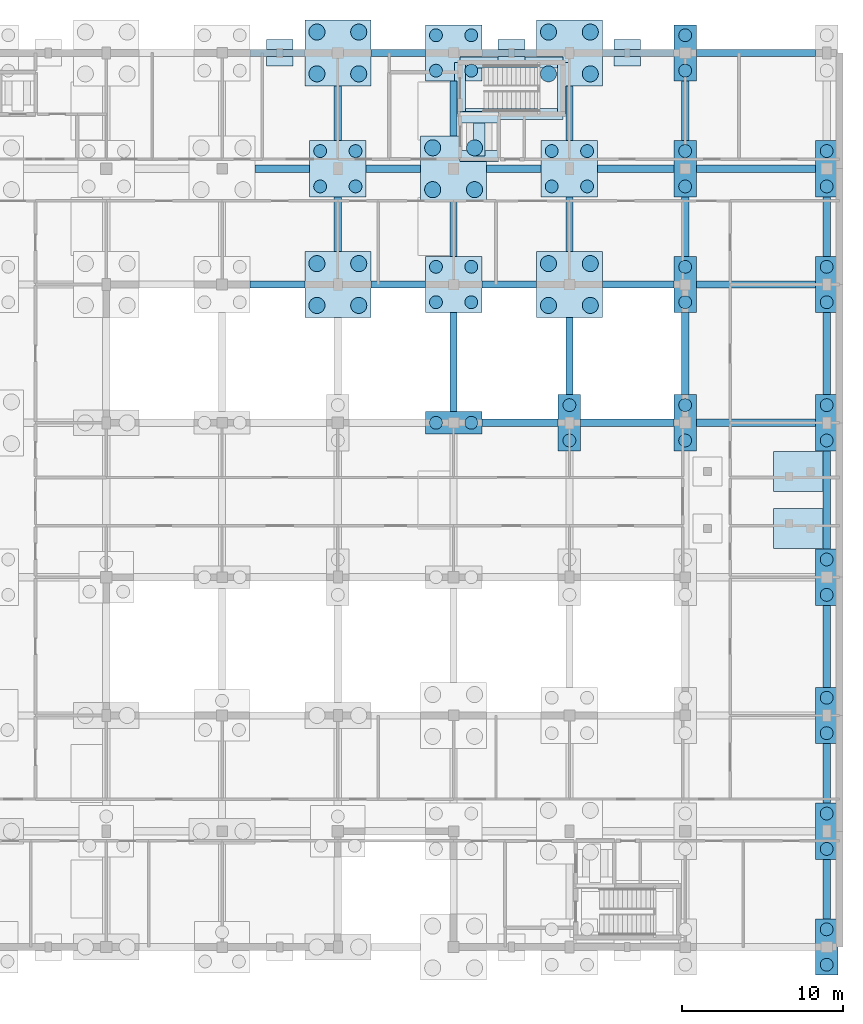
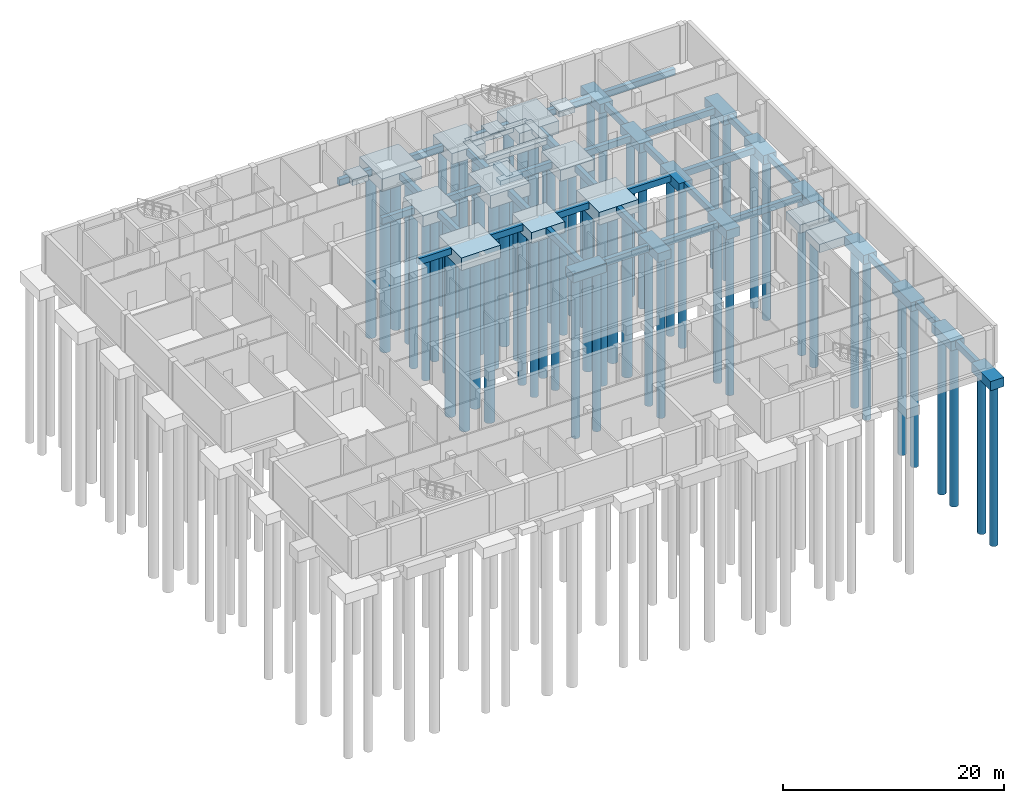
# One storey, part 4 of 17: 69 footings, 62 piles.
"""IFC4 building model written with IfcOpenShell, lengths in metres."""

from ifc_helpers import new_model, si_unit, direction, frame, origin, origin_2d, place, context, subcontext, project, spatial, rectangle, circle, extrude, material, layer, layer_set, material_profile, profile_set, type_object, element, save


model = new_model("IFC4")

# Units and contexts
model_context = context("Model", 3, precision=1e-05, world=origin(), true_north=direction((0.0, 1.0)))
body_context = subcontext(model_context, "Body", "Model", "MODEL_VIEW")
ifc_project = project(units=[si_unit("LENGTHUNIT", "METRE"), si_unit("AREAUNIT", "SQUARE_METRE"), si_unit("VOLUMEUNIT", "CUBIC_METRE"), si_unit("PLANEANGLEUNIT", "RADIAN"), si_unit("MASSUNIT", "GRAM", prefix="KILO")], contexts=[model_context])

# Site, building, storey
site_placement = place(None, origin())
site = spatial("IfcSite", under=ifc_project, at=site_placement, CompositionType="ELEMENT")
building_placement = place(site_placement, origin())
building = spatial("IfcBuilding", under=site, at=building_placement, Name="Hawrajan Terrace Health Centre", CompositionType="ELEMENT")
storey_placement = place(building_placement, frame((0.0, 0.0, -4.5)))
storey = spatial("IfcBuildingStorey", under=building, at=storey_placement, Name="B1", CompositionType="ELEMENT", Elevation=-4.5)

# Piles
ifc_material = material(Name="Concrete C40/50", Category="concrete")
ifc_material_profile_1 = material_profile(ifc_material, circle(Radius=0.5, at=origin_2d()), Name="BP 1000")
ifc_profile_set_1 = profile_set([ifc_material_profile_1], Name="Concrete C40/50")
pile_type_1 = type_object("IfcPileType", Name="BoredPile_1000", PredefinedType="BORED", material=ifc_profile_set_1)
for number, where, z_axis, x_axis, name in (
    (1, (39.300048828125, 44.10009765625, -0.550048828125), (0.0, 0.0, -1.0), (1.0, 0.0, 0.0), "Bored pile P-143"),
    (2, (41.89990234375, 44.10009765625, -0.550048828125), (0.0, 0.0, -1.0), (1.0, 0.0, 0.0), "Bored pile P-144"),
    (3, (39.300048828125, 46.699951171875, -0.550048828125), (0.0, 0.0, -1.0), (1.0, 0.0, 0.0), "Bored pile P-145"),
    (4, (41.89990234375, 46.699951171875, -0.550048828125), (0.0, 0.0, -1.0), (1.0, 0.0, 0.0), "Bored pile P-146"),
    (5, (39.300048828125, 58.5, -0.550048828125), (0.0, 0.0, -1.0), (1.0, 0.0, 0.0), "Bored pile P-151"),
    (6, (41.89990234375, 58.5, -0.550048828125), (0.0, 0.0, -1.0), (1.0, 0.0, 0.0), "Bored pile P-152"),
    (7, (39.300048828125, 61.10009765625, -0.550048828125), (0.0, 0.0, -1.0), (1.0, 0.0, 0.0), "Bored pile P-153"),
    (8, (41.89990234375, 61.10009765625, -0.550048828125), (0.0, 0.0, -1.0), (1.0, 0.0, 0.0), "Bored pile P-154"),
    (9, (46.5, 51.300048828125, -0.550048828125), (0.0, 0.0, -1.0), (1.0, 0.0, 0.0), "Bored pile P-175"),
    (10, (49.10009765625, 51.300048828125, -0.550048828125), (0.0, 0.0, -1.0), (1.0, 0.0, 0.0), "Bored pile P-176"),
    (11, (46.5, 53.89990234375, -0.550048828125), (0.0, 0.0, -1.0), (1.0, 0.0, 0.0), "Bored pile P-177"),
    (12, (49.10009765625, 53.89990234375, -0.550048828125), (0.0, 0.0, -1.0), (1.0, 0.0, 0.0), "Bored pile P-178"),
    (13, (53.699951171875, 44.10009765625, -0.550048828125), (0.0, 0.0, -1.0), (1.0, 0.0, 0.0), "Bored pile P-199"),
    (14, (56.300048828125, 44.10009765625, -0.550048828125), (0.0, 0.0, -1.0), (1.0, 0.0, 0.0), "Bored pile P-200"),
    (15, (53.699951171875, 46.699951171875, -0.550048828125), (0.0, 0.0, -1.0), (1.0, 0.0, 0.0), "Bored pile P-201"),
    (16, (56.300048828125, 46.699951171875, -0.550048828125), (0.0, 0.0, -1.0), (1.0, 0.0, 0.0), "Bored pile P-202"),
    (17, (53.699951171875, 58.5, -0.550048828125), (0.0, 0.0, -1.0), (1.0, 0.0, 0.0), "Bored pile P-207"),
    (18, (56.300048828125, 58.5, -0.550048828125), (0.0, 0.0, -1.0), (1.0, 0.0, 0.0), "Bored pile P-208"),
    (19, (53.699951171875, 61.10009765625, -0.550048828125), (0.0, 0.0, -1.0), (1.0, 0.0, 0.0), "Bored pile P-209"),
    (20, (56.300048828125, 61.10009765625, -0.550048828125), (0.0, 0.0, -1.0), (1.0, 0.0, 0.0), "Bored pile P-210"),
):
    element("IfcPile", number, at=place(storey_placement, frame(where, z_axis=z_axis, x_axis=x_axis)), inside=storey, type_object=pile_type_1, Name=name, PredefinedType="BORED", context=body_context, shape_type="SweptSolid", body=[
        extrude(circle(Radius=0.5, at=origin_2d()), origin(), (0.0, 0.0, 1.0), 19.5),
    ])
ifc_material_profile_2 = material_profile(ifc_material, circle(Radius=0.39990234375, at=origin_2d()), Name="BP 800")
ifc_profile_set_2 = profile_set([ifc_material_profile_2], Name="Concrete C40/50")
pile_type_2 = type_object("IfcPileType", Name="BoredPile_800", PredefinedType="BORED", material=ifc_profile_set_2)
for number, where, z_axis, x_axis, name in (
    (21, (39.5, 51.5, -0.550048828125), (0.0, 0.0, -1.0), (1.0, 0.0, 0.0), "Bored pile P-147"),
    (22, (41.699951171875, 51.5, -0.550048828125), (0.0, 0.0, -1.0), (1.0, 0.0, 0.0), "Bored pile P-148"),
    (23, (39.5, 53.699951171875, -0.550048828125), (0.0, 0.0, -1.0), (1.0, 0.0, 0.0), "Bored pile P-149"),
    (24, (41.699951171875, 53.699951171875, -0.550048828125), (0.0, 0.0, -1.0), (1.0, 0.0, 0.0), "Bored pile P-150"),
    (25, (46.699951171875, 36.800048828125, -0.550048828125), (0.0, 0.0, -1.0), (1.0, 0.0, 0.0), "Bored pile P-169"),
    (26, (48.89990234375, 36.800048828125, -0.550048828125), (0.0, 0.0, -1.0), (1.0, 0.0, 0.0), "Bored pile P-170"),
    (27, (46.699951171875, 44.300048828125, -0.550048828125), (0.0, 0.0, -1.0), (1.0, 0.0, 0.0), "Bored pile P-171"),
    (28, (48.89990234375, 44.300048828125, -0.550048828125), (0.0, 0.0, -1.0), (1.0, 0.0, 0.0), "Bored pile P-172"),
    (29, (46.699951171875, 46.5, -0.550048828125), (0.0, 0.0, -1.0), (1.0, 0.0, 0.0), "Bored pile P-173"),
    (30, (48.89990234375, 46.5, -0.550048828125), (0.0, 0.0, -1.0), (1.0, 0.0, 0.0), "Bored pile P-174"),
    (31, (46.699951171875, 58.699951171875, -0.550048828125), (0.0, 0.0, -1.0), (1.0, 0.0, 0.0), "Bored pile P-179"),
    (32, (48.89990234375, 58.699951171875, -0.550048828125), (0.0, 0.0, -1.0), (1.0, 0.0, 0.0), "Bored pile P-180"),
    (33, (46.699951171875, 60.89990234375, -0.550048828125), (0.0, 0.0, -1.0), (1.0, 0.0, 0.0), "Bored pile P-181"),
    (34, (48.89990234375, 60.89990234375, -0.550048828125), (0.0, 0.0, -1.0), (1.0, 0.0, 0.0), "Bored pile P-182"),
    (35, (55.0, 35.699951171875, -0.550048828125), (0.0, 0.0, -1.0), (1.0, 0.0, 0.0), "Bored pile P-197"),
    (36, (55.0, 37.89990234375, -0.550048828125), (0.0, 0.0, -1.0), (1.0, 0.0, 0.0), "Bored pile P-198"),
    (37, (53.89990234375, 51.5, -0.550048828125), (0.0, 0.0, -1.0), (1.0, 0.0, 0.0), "Bored pile P-203"),
    (38, (56.10009765625, 51.5, -0.550048828125), (0.0, 0.0, -1.0), (1.0, 0.0, 0.0), "Bored pile P-204"),
    (39, (53.89990234375, 53.699951171875, -0.550048828125), (0.0, 0.0, -1.0), (1.0, 0.0, 0.0), "Bored pile P-205"),
    (40, (56.10009765625, 53.699951171875, -0.550048828125), (0.0, 0.0, -1.0), (1.0, 0.0, 0.0), "Bored pile P-206"),
    (41, (62.199951171875, 35.699951171875, -0.550048828125), (0.0, 0.0, -1.0), (1.0, 0.0, 0.0), "Bored pile P-219"),
    (42, (62.199951171875, 37.89990234375, -0.550048828125), (0.0, 0.0, -1.0), (1.0, 0.0, 0.0), "Bored pile P-220"),
    (43, (62.199951171875, 44.300048828125, -0.550048828125), (0.0, 0.0, -1.0), (1.0, 0.0, 0.0), "Bored pile P-221"),
    (44, (62.199951171875, 46.5, -0.550048828125), (0.0, 0.0, -1.0), (1.0, 0.0, 0.0), "Bored pile P-222"),
    (45, (62.199951171875, 51.5, -0.550048828125), (0.0, 0.0, -1.0), (1.0, 0.0, 0.0), "Bored pile P-223"),
    (46, (62.199951171875, 53.699951171875, -0.550048828125), (0.0, 0.0, -1.0), (1.0, 0.0, 0.0), "Bored pile P-224"),
    (47, (62.199951171875, 58.699951171875, -0.550048828125), (0.0, 0.0, -1.0), (1.0, 0.0, 0.0), "Bored pile P-225"),
    (48, (62.199951171875, 60.89990234375, -0.550048828125), (0.0, 0.0, -1.0), (1.0, 0.0, 0.0), "Bored pile P-226"),
    (49, (71.0, 3.10009765625, -0.550048828125), (0.0, 0.0, -1.0), (1.0, 0.0, 0.0), "Bored pile P-227"),
    (50, (71.0, 5.300048828125, -0.550048828125), (0.0, 0.0, -1.0), (1.0, 0.0, 0.0), "Bored pile P-228"),
    (51, (71.0, 10.300048828125, -0.550048828125), (0.0, 0.0, -1.0), (1.0, 0.0, 0.0), "Bored pile P-229"),
    (52, (71.0, 12.5, -0.550048828125), (0.0, 0.0, -1.0), (1.0, 0.0, 0.0), "Bored pile P-230"),
    (53, (71.0, 17.5, -0.550048828125), (0.0, 0.0, -1.0), (1.0, 0.0, 0.0), "Bored pile P-231"),
    (54, (71.0, 19.699951171875, -0.550048828125), (0.0, 0.0, -1.0), (1.0, 0.0, 0.0), "Bored pile P-232"),
    (55, (71.0, 26.10009765625, -0.550048828125), (0.0, 0.0, -1.0), (1.0, 0.0, 0.0), "Bored pile P-233"),
    (56, (71.0, 28.300048828125, -0.550048828125), (0.0, 0.0, -1.0), (1.0, 0.0, 0.0), "Bored pile P-234"),
    (57, (71.0, 35.699951171875, -0.550048828125), (0.0, 0.0, -1.0), (1.0, 0.0, 0.0), "Bored pile P-235"),
    (58, (71.0, 37.89990234375, -0.550048828125), (0.0, 0.0, -1.0), (1.0, 0.0, 0.0), "Bored pile P-236"),
    (59, (71.0, 44.300048828125, -0.550048828125), (0.0, 0.0, -1.0), (1.0, 0.0, 0.0), "Bored pile P-237"),
    (60, (71.0, 46.5, -0.550048828125), (0.0, 0.0, -1.0), (1.0, 0.0, 0.0), "Bored pile P-238"),
    (61, (71.0, 51.5, -0.550048828125), (0.0, 0.0, -1.0), (1.0, 0.0, 0.0), "Bored pile P-239"),
    (62, (71.0, 53.699951171875, -0.550048828125), (0.0, 0.0, -1.0), (1.0, 0.0, 0.0), "Bored pile P-240"),
):
    element("IfcPile", number, at=place(storey_placement, frame(where, z_axis=z_axis, x_axis=x_axis)), inside=storey, type_object=pile_type_2, Name=name, PredefinedType="BORED", context=body_context, shape_type="SweptSolid", body=[
        extrude(circle(Radius=0.39990234375, at=origin_2d()), origin(), (0.0, 0.0, 1.0), 18.5),
    ])

# Footings
ifc_material_profile_3 = material_profile(ifc_material, rectangle(XDim=0.449951171875, YDim=0.699951171875, at=origin_2d()), Name="RC BM 450x700")
ifc_profile_set_3 = profile_set([ifc_material_profile_3], Name="Concrete C40/50")
footing_type_1 = type_object("IfcFootingType", Name="GroundBeam_450x700", PredefinedType="FOOTING_BEAM", material=ifc_profile_set_3)
for number, where, z_axis, x_axis, name in (
    (63, (35.14990234375, 45.39990234375, -0.800048828125), (1.0, 0.0, 0.0), (0.0, 1.0, 0.0), "Ground tie beam GB-X-W-05-6"),
    (64, (35.449951171875, 52.60009765625, -0.800048828125), (1.0, 0.0, 0.0), (0.0, 1.0, 0.0), "Ground tie beam GB-X-W-05-7"),
    (65, (35.14990234375, 59.800048828125, -0.800048828125), (1.0, 0.0, 0.0), (0.0, 1.0, 0.0), "Ground tie beam GB-X-W-05-8"),
    (66, (42.64990234375, 45.39990234375, -0.800048828125), (1.0, 0.0, 0.0), (0.0, 1.0, 0.0), "Ground tie beam GB-X-W-06-6"),
    (67, (40.60009765625, 47.449951171875, -0.800048828125), (0.0, 1.0, 0.0), (-1.0, 0.0, 0.0), "Ground tie beam GB-Y-W-06-6"),
):
    element("IfcFooting", number, at=place(storey_placement, frame(where, z_axis=z_axis, x_axis=x_axis)), inside=storey, type_object=footing_type_1, Name=name, PredefinedType="FOOTING_BEAM", context=body_context, shape_type="SweptSolid", body=[
        extrude(rectangle(XDim=0.449951171875, YDim=0.699951171875, at=origin_2d()), origin(), (0.0, 0.0, 1.0), 3.400146484375),
    ])
for number, where, z_axis, x_axis, name in (
    (68, (42.35009765625, 52.60009765625, -0.800048828125), (1.0, 0.0, 0.0), (0.0, 1.0, 0.0), "Ground tie beam GB-X-W-06-7"),
    (69, (40.60009765625, 54.35009765625, -0.800048828125), (0.0, 1.0, 0.0), (-1.0, 0.0, 0.0), "Ground tie beam GB-Y-W-06-7"),
):
    element("IfcFooting", number, at=place(storey_placement, frame(where, z_axis=z_axis, x_axis=x_axis)), inside=storey, type_object=footing_type_1, Name=name, PredefinedType="FOOTING_BEAM", context=body_context, shape_type="SweptSolid", body=[
        extrude(rectangle(XDim=0.449951171875, YDim=0.699951171875, at=origin_2d()), origin(), (0.0, 0.0, 1.0), 3.39990234375),
    ])
footing_1_placement = place(storey_placement, frame((42.64990234375, 59.800048828125, -0.800048828125), z_axis=(1.0, 0.0, 0.0), x_axis=(0.0, 1.0, 0.0)))
element("IfcFooting", 70, at=footing_1_placement, inside=storey, type_object=footing_type_1, Name="Ground tie beam GB-X-W-06-8", PredefinedType="FOOTING_BEAM", context=body_context, shape_type="SweptSolid", body=[
    extrude(rectangle(XDim=0.449951171875, YDim=0.699951171875, at=origin_2d()), origin(), (0.0, 0.0, 1.0), 3.400146484375),
])
footing_2_placement = place(storey_placement, frame((49.550048828125, 36.800048828125, -0.800048828125), z_axis=(1.0, 0.0, 0.0), x_axis=(0.0, 1.0, 0.0)))
element("IfcFooting", 71, at=footing_2_placement, inside=storey, type_object=footing_type_1, Name="Ground tie beam GB-X-W-07-5", PredefinedType="FOOTING_BEAM", context=body_context, shape_type="SweptSolid", body=[
    extrude(rectangle(XDim=0.449951171875, YDim=0.699951171875, at=origin_2d()), origin(), (0.0, 0.0, 1.0), 4.75),
])
footing_3_placement = place(storey_placement, frame((47.800048828125, 37.5, -0.800048828125), z_axis=(0.0, 1.0, 0.0), x_axis=(-1.0, 0.0, 0.0)))
element("IfcFooting", 72, at=footing_3_placement, inside=storey, type_object=footing_type_1, Name="Ground tie beam GB-Y-W-07-5", PredefinedType="FOOTING_BEAM", context=body_context, shape_type="SweptSolid", body=[
    extrude(rectangle(XDim=0.449951171875, YDim=0.699951171875, at=origin_2d()), origin(), (0.0, 0.0, 1.0), 6.14990234375),
])
footing_4_placement = place(storey_placement, frame((49.550048828125, 45.39990234375, -0.800048828125), z_axis=(1.0, 0.0, 0.0), x_axis=(0.0, 1.0, 0.0)))
element("IfcFooting", 73, at=footing_4_placement, inside=storey, type_object=footing_type_1, Name="Ground tie beam GB-X-W-07-6", PredefinedType="FOOTING_BEAM", context=body_context, shape_type="SweptSolid", body=[
    extrude(rectangle(XDim=0.449951171875, YDim=0.699951171875, at=origin_2d()), origin(), (0.0, 0.0, 1.0), 3.39990234375),
])
footing_5_placement = place(storey_placement, frame((47.800048828125, 47.14990234375, -0.800048828125), z_axis=(0.0, 1.0, 0.0), x_axis=(-1.0, 0.0, 0.0)))
element("IfcFooting", 74, at=footing_5_placement, inside=storey, type_object=footing_type_1, Name="Ground tie beam GB-Y-W-07-6", PredefinedType="FOOTING_BEAM", context=body_context, shape_type="SweptSolid", body=[
    extrude(rectangle(XDim=0.449951171875, YDim=0.699951171875, at=origin_2d()), origin(), (0.0, 0.0, 1.0), 3.400146484375),
])
footing_6_placement = place(storey_placement, frame((49.85009765625, 52.60009765625, -0.800048828125), z_axis=(1.0, 0.0, 0.0), x_axis=(0.0, 1.0, 0.0)))
element("IfcFooting", 75, at=footing_6_placement, inside=storey, type_object=footing_type_1, Name="Ground tie beam GB-X-W-07-7", PredefinedType="FOOTING_BEAM", context=body_context, shape_type="SweptSolid", body=[
    extrude(rectangle(XDim=0.449951171875, YDim=0.699951171875, at=origin_2d()), origin(), (0.0, 0.0, 1.0), 3.39990234375),
])
footing_7_placement = place(storey_placement, frame((47.800048828125, 54.64990234375, -0.800048828125), z_axis=(0.0, 1.0, 0.0), x_axis=(-1.0, 0.0, 0.0)))
element("IfcFooting", 76, at=footing_7_placement, inside=storey, type_object=footing_type_1, Name="Ground tie beam GB-Y-W-07-7", PredefinedType="FOOTING_BEAM", context=body_context, shape_type="SweptSolid", body=[
    extrude(rectangle(XDim=0.449951171875, YDim=0.699951171875, at=origin_2d()), origin(), (0.0, 0.0, 1.0), 3.400146484375),
])
footing_8_placement = place(storey_placement, frame((49.550048828125, 59.800048828125, -0.800048828125), z_axis=(1.0, 0.0, 0.0), x_axis=(0.0, 1.0, 0.0)))
element("IfcFooting", 77, at=footing_8_placement, inside=storey, type_object=footing_type_1, Name="Ground tie beam GB-X-W-07-8", PredefinedType="FOOTING_BEAM", context=body_context, shape_type="SweptSolid", body=[
    extrude(rectangle(XDim=0.449951171875, YDim=0.699951171875, at=origin_2d()), origin(), (0.0, 0.0, 1.0), 3.39990234375),
])
footing_9_placement = place(storey_placement, frame((55.699951171875, 36.800048828125, -0.800048828125), z_axis=(1.0, 0.0, 0.0), x_axis=(0.0, 1.0, 0.0)))
element("IfcFooting", 78, at=footing_9_placement, inside=storey, type_object=footing_type_1, Name="Ground tie beam GB-X-W-08-5", PredefinedType="FOOTING_BEAM", context=body_context, shape_type="SweptSolid", body=[
    extrude(rectangle(XDim=0.449951171875, YDim=0.699951171875, at=origin_2d()), origin(), (0.0, 0.0, 1.0), 5.800048828125),
])
footing_10_placement = place(storey_placement, frame((55.0, 38.550048828125, -0.800048828125), z_axis=(0.0, 1.0, 0.0), x_axis=(-1.0, 0.0, 0.0)))
element("IfcFooting", 79, at=footing_10_placement, inside=storey, type_object=footing_type_1, Name="Ground tie beam GB-Y-W-08-5", PredefinedType="FOOTING_BEAM", context=body_context, shape_type="SweptSolid", body=[
    extrude(rectangle(XDim=0.449951171875, YDim=0.699951171875, at=origin_2d()), origin(), (0.0, 0.0, 1.0), 4.800048828125),
])
footing_11_placement = place(storey_placement, frame((57.050048828125, 45.39990234375, -0.800048828125), z_axis=(1.0, 0.0, 0.0), x_axis=(0.0, 1.0, 0.0)))
element("IfcFooting", 80, at=footing_11_placement, inside=storey, type_object=footing_type_1, Name="Ground tie beam GB-X-W-08-6", PredefinedType="FOOTING_BEAM", context=body_context, shape_type="SweptSolid", body=[
    extrude(rectangle(XDim=0.449951171875, YDim=0.699951171875, at=origin_2d()), origin(), (0.0, 0.0, 1.0), 4.449951171875),
])
footing_12_placement = place(storey_placement, frame((55.0, 47.449951171875, -0.800048828125), z_axis=(0.0, 1.0, 0.0), x_axis=(-1.0, 0.0, 0.0)))
element("IfcFooting", 81, at=footing_12_placement, inside=storey, type_object=footing_type_1, Name="Ground tie beam GB-Y-W-08-6", PredefinedType="FOOTING_BEAM", context=body_context, shape_type="SweptSolid", body=[
    extrude(rectangle(XDim=0.449951171875, YDim=0.699951171875, at=origin_2d()), origin(), (0.0, 0.0, 1.0), 3.400146484375),
])
footing_13_placement = place(storey_placement, frame((56.75, 52.60009765625, -0.800048828125), z_axis=(1.0, 0.0, 0.0), x_axis=(0.0, 1.0, 0.0)))
element("IfcFooting", 82, at=footing_13_placement, inside=storey, type_object=footing_type_1, Name="Ground tie beam GB-X-W-08-7", PredefinedType="FOOTING_BEAM", context=body_context, shape_type="SweptSolid", body=[
    extrude(rectangle(XDim=0.449951171875, YDim=0.699951171875, at=origin_2d()), origin(), (0.0, 0.0, 1.0), 4.75),
])
footing_14_placement = place(storey_placement, frame((55.0, 54.35009765625, -0.800048828125), z_axis=(0.0, 1.0, 0.0), x_axis=(-1.0, 0.0, 0.0)))
element("IfcFooting", 83, at=footing_14_placement, inside=storey, type_object=footing_type_1, Name="Ground tie beam GB-Y-W-08-7", PredefinedType="FOOTING_BEAM", context=body_context, shape_type="SweptSolid", body=[
    extrude(rectangle(XDim=0.449951171875, YDim=0.699951171875, at=origin_2d()), origin(), (0.0, 0.0, 1.0), 3.39990234375),
])
footing_15_placement = place(storey_placement, frame((57.050048828125, 59.800048828125, -0.800048828125), z_axis=(1.0, 0.0, 0.0), x_axis=(0.0, 1.0, 0.0)))
element("IfcFooting", 84, at=footing_15_placement, inside=storey, type_object=footing_type_1, Name="Ground tie beam GB-X-W-08-8", PredefinedType="FOOTING_BEAM", context=body_context, shape_type="SweptSolid", body=[
    extrude(rectangle(XDim=0.449951171875, YDim=0.699951171875, at=origin_2d()), origin(), (0.0, 0.0, 1.0), 4.449951171875),
])
footing_16_placement = place(storey_placement, frame((62.89990234375, 36.800048828125, -0.800048828125), z_axis=(1.0, 0.0, 0.0), x_axis=(0.0, 1.0, 0.0)))
element("IfcFooting", 85, at=footing_16_placement, inside=storey, type_object=footing_type_1, Name="Ground tie beam GB-X-W-09-5", PredefinedType="FOOTING_BEAM", context=body_context, shape_type="SweptSolid", body=[
    extrude(rectangle(XDim=0.449951171875, YDim=0.699951171875, at=origin_2d()), origin(), (0.0, 0.0, 1.0), 7.400146484375),
])
footing_17_placement = place(storey_placement, frame((62.199951171875, 38.550048828125, -0.800048828125), z_axis=(0.0, 1.0, 0.0), x_axis=(-1.0, 0.0, 0.0)))
element("IfcFooting", 86, at=footing_17_placement, inside=storey, type_object=footing_type_1, Name="Ground tie beam GB-Y-W-09-5", PredefinedType="FOOTING_BEAM", context=body_context, shape_type="SweptSolid", body=[
    extrude(rectangle(XDim=0.449951171875, YDim=0.699951171875, at=origin_2d()), origin(), (0.0, 0.0, 1.0), 5.099853515625),
])
footing_18_placement = place(storey_placement, frame((62.89990234375, 45.39990234375, -0.800048828125), z_axis=(1.0, 0.0, 0.0), x_axis=(0.0, 1.0, 0.0)))
element("IfcFooting", 87, at=footing_18_placement, inside=storey, type_object=footing_type_1, Name="Ground tie beam GB-X-W-09-6", PredefinedType="FOOTING_BEAM", context=body_context, shape_type="SweptSolid", body=[
    extrude(rectangle(XDim=0.449951171875, YDim=0.699951171875, at=origin_2d()), origin(), (0.0, 0.0, 1.0), 7.400146484375),
])
footing_19_placement = place(storey_placement, frame((62.199951171875, 47.14990234375, -0.800048828125), z_axis=(0.0, 1.0, 0.0), x_axis=(-1.0, 0.0, 0.0)))
element("IfcFooting", 88, at=footing_19_placement, inside=storey, type_object=footing_type_1, Name="Ground tie beam GB-Y-W-09-6", PredefinedType="FOOTING_BEAM", context=body_context, shape_type="SweptSolid", body=[
    extrude(rectangle(XDim=0.449951171875, YDim=0.699951171875, at=origin_2d()), origin(), (0.0, 0.0, 1.0), 3.7001953125),
])
footing_20_placement = place(storey_placement, frame((62.89990234375, 52.60009765625, -0.800048828125), z_axis=(1.0, 0.0, 0.0), x_axis=(0.0, 1.0, 0.0)))
element("IfcFooting", 89, at=footing_20_placement, inside=storey, type_object=footing_type_1, Name="Ground tie beam GB-X-W-09-7", PredefinedType="FOOTING_BEAM", context=body_context, shape_type="SweptSolid", body=[
    extrude(rectangle(XDim=0.449951171875, YDim=0.699951171875, at=origin_2d()), origin(), (0.0, 0.0, 1.0), 7.400146484375),
])
footing_21_placement = place(storey_placement, frame((62.199951171875, 54.35009765625, -0.800048828125), z_axis=(0.0, 1.0, 0.0), x_axis=(-1.0, 0.0, 0.0)))
element("IfcFooting", 90, at=footing_21_placement, inside=storey, type_object=footing_type_1, Name="Ground tie beam GB-Y-W-09-7", PredefinedType="FOOTING_BEAM", context=body_context, shape_type="SweptSolid", body=[
    extrude(rectangle(XDim=0.449951171875, YDim=0.699951171875, at=origin_2d()), origin(), (0.0, 0.0, 1.0), 3.699951171875),
])
footing_22_placement = place(storey_placement, frame((62.89990234375, 59.800048828125, -0.800048828125), z_axis=(1.0, 0.0, 0.0), x_axis=(0.0, 1.0, 0.0)))
element("IfcFooting", 91, at=footing_22_placement, inside=storey, type_object=footing_type_1, Name="Ground tie beam GB-X-W-09-8", PredefinedType="FOOTING_BEAM", context=body_context, shape_type="SweptSolid", body=[
    extrude(rectangle(XDim=0.449951171875, YDim=0.699951171875, at=origin_2d()), origin(), (0.0, 0.0, 1.0), 7.400146484375),
])
footing_23_placement = place(storey_placement, frame((71.0, 5.949951171875, -0.800048828125), z_axis=(0.0, 1.0, 0.0), x_axis=(-1.0, 0.0, 0.0)))
element("IfcFooting", 92, at=footing_23_placement, inside=storey, type_object=footing_type_1, Name="Ground tie beam GB-Y-W-10-1", PredefinedType="FOOTING_BEAM", context=body_context, shape_type="SweptSolid", body=[
    extrude(rectangle(XDim=0.449951171875, YDim=0.699951171875, at=origin_2d()), origin(), (0.0, 0.0, 1.0), 3.699951171875),
])
footing_24_placement = place(storey_placement, frame((71.0, 13.14990234375, -0.800048828125), z_axis=(0.0, 1.0, 0.0), x_axis=(-1.0, 0.0, 0.0)))
element("IfcFooting", 93, at=footing_24_placement, inside=storey, type_object=footing_type_1, Name="Ground tie beam GB-Y-W-10-2", PredefinedType="FOOTING_BEAM", context=body_context, shape_type="SweptSolid", body=[
    extrude(rectangle(XDim=0.449951171875, YDim=0.699951171875, at=origin_2d()), origin(), (0.0, 0.0, 1.0), 3.7001953125),
])
footing_25_placement = place(storey_placement, frame((71.0, 20.35009765625, -0.800048828125), z_axis=(0.0, 1.0, 0.0), x_axis=(-1.0, 0.0, 0.0)))
element("IfcFooting", 94, at=footing_25_placement, inside=storey, type_object=footing_type_1, Name="Ground tie beam GB-Y-W-10-3", PredefinedType="FOOTING_BEAM", context=body_context, shape_type="SweptSolid", body=[
    extrude(rectangle(XDim=0.449951171875, YDim=0.699951171875, at=origin_2d()), origin(), (0.0, 0.0, 1.0), 5.099853515625),
])
footing_26_placement = place(storey_placement, frame((71.0, 28.949951171875, -0.800048828125), z_axis=(0.0, 1.0, 0.0), x_axis=(-1.0, 0.0, 0.0)))
element("IfcFooting", 95, at=footing_26_placement, inside=storey, type_object=footing_type_1, Name="Ground tie beam GB-Y-W-10-4", PredefinedType="FOOTING_BEAM", context=body_context, shape_type="SweptSolid", body=[
    extrude(rectangle(XDim=0.449951171875, YDim=0.699951171875, at=origin_2d()), origin(), (0.0, 0.0, 1.0), 6.10009765625),
])
footing_27_placement = place(storey_placement, frame((71.0, 38.550048828125, -0.800048828125), z_axis=(0.0, 1.0, 0.0), x_axis=(-1.0, 0.0, 0.0)))
element("IfcFooting", 96, at=footing_27_placement, inside=storey, type_object=footing_type_1, Name="Ground tie beam GB-Y-W-10-5", PredefinedType="FOOTING_BEAM", context=body_context, shape_type="SweptSolid", body=[
    extrude(rectangle(XDim=0.449951171875, YDim=0.699951171875, at=origin_2d()), origin(), (0.0, 0.0, 1.0), 5.099853515625),
])
footing_28_placement = place(storey_placement, frame((71.0, 47.14990234375, -0.800048828125), z_axis=(0.0, 1.0, 0.0), x_axis=(-1.0, 0.0, 0.0)))
element("IfcFooting", 97, at=footing_28_placement, inside=storey, type_object=footing_type_1, Name="Ground tie beam GB-Y-W-10-6", PredefinedType="FOOTING_BEAM", context=body_context, shape_type="SweptSolid", body=[
    extrude(rectangle(XDim=0.449951171875, YDim=0.699951171875, at=origin_2d()), origin(), (0.0, 0.0, 1.0), 3.7001953125),
])
ifc_layer_1 = layer(ifc_material, 0.64990234375)
ifc_layer_set_1 = layer_set([ifc_layer_1], Name="Concrete C40/50")
footing_type_2 = type_object("IfcFootingType", Name="PadFooting_1650", PredefinedType="PAD_FOOTING", material=ifc_layer_set_1)
for number, where, z_axis, x_axis, name in (
    (98, (37.0, 59.800048828125, -1.099853515625), (0.0, 0.0, 1.0), (1.0, 0.0, 0.0), "Pilaster pad footing W-05-Y8"),
    (99, (51.39990234375, 59.800048828125, -1.099853515625), (0.0, 0.0, 1.0), (1.0, 0.0, 0.0), "Pilaster pad footing W-07-Y8"),
    (100, (58.60009765625, 59.800048828125, -1.099853515625), (0.0, 0.0, 1.0), (1.0, 0.0, 0.0), "Pilaster pad footing W-08-Y8"),
):
    element("IfcFooting", number, at=place(storey_placement, frame(where, z_axis=z_axis, x_axis=x_axis)), inside=storey, type_object=footing_type_2, Name=name, PredefinedType="PAD_FOOTING", context=body_context, shape_type="SweptSolid", body=[
        extrude(rectangle(XDim=1.64990234375, YDim=1.64990234375, at=origin_2d()), origin(), (0.0, 0.0, 1.0), 0.64990234375),
    ])
ifc_layer_2 = layer(ifc_material, 0.919921875)
ifc_layer_set_2 = layer_set([ifc_layer_2], Name="Concrete C40/50")
footing_type_3 = type_object("IfcFootingType", Name="PadFooting_3100x2500", PredefinedType="PAD_FOOTING", material=ifc_layer_set_2)
for number, where, z_axis, x_axis, name in (
    (101, (69.25, 30.219970703125, -1.369873046875), (0.0, 0.0, 1.0), (1.0, 0.0, 0.0), "Feature stair combined footing 2"),
    (102, (69.25, 33.780029296875, -1.369873046875), (0.0, 0.0, 1.0), (1.0, 0.0, 0.0), "Feature stair combined footing 3"),
):
    element("IfcFooting", number, at=place(storey_placement, frame(where, z_axis=z_axis, x_axis=x_axis)), inside=storey, type_object=footing_type_3, Name=name, PredefinedType="PAD_FOOTING", context=body_context, shape_type="SweptSolid", body=[
        extrude(rectangle(XDim=3.10009765625, YDim=2.5, at=origin_2d()), origin(), (0.0, 0.0, 1.0), 0.919921875),
    ])
ifc_layer_3 = layer(ifc_material, 1.0)
ifc_layer_set_3 = layer_set([ifc_layer_3], Name="Concrete C40/50")
footing_type_4 = type_object("IfcFootingType", Name="PileCap_2P800_EW", PredefinedType="PILE_CAP", material=ifc_layer_set_3)
footing_29_placement = place(storey_placement, frame((47.800048828125, 36.800048828125, -1.449951171875), z_axis=(0.0, 0.0, 1.0), x_axis=(1.0, 0.0, 0.0)))
element("IfcFooting", 103, at=footing_29_placement, inside=storey, type_object=footing_type_4, Name="Foundation FT-W-X07-Y5", PredefinedType="PILE_CAP", context=body_context, shape_type="SweptSolid", body=[
    extrude(rectangle(XDim=3.5, YDim=1.39990234375, at=origin_2d()), origin(), (0.0, 0.0, 1.0), 1.0),
])
ifc_layer_4 = layer(ifc_material, 1.0)
ifc_layer_set_4 = layer_set([ifc_layer_4], Name="Concrete C40/50")
footing_type_5 = type_object("IfcFootingType", Name="PileCap_2P800_NS", PredefinedType="PILE_CAP", material=ifc_layer_set_4)
for number, where, z_axis, x_axis, name in (
    (104, (55.0, 36.800048828125, -1.449951171875), (0.0, 0.0, 1.0), (1.0, 0.0, 0.0), "Foundation FT-W-X08-Y5"),
    (105, (62.199951171875, 36.800048828125, -1.449951171875), (0.0, 0.0, 1.0), (1.0, 0.0, 0.0), "Foundation FT-W-X09-Y5"),
    (106, (62.199951171875, 45.39990234375, -1.449951171875), (0.0, 0.0, 1.0), (1.0, 0.0, 0.0), "Foundation FT-W-X09-Y6"),
    (107, (62.199951171875, 52.60009765625, -1.449951171875), (0.0, 0.0, 1.0), (1.0, 0.0, 0.0), "Foundation FT-W-X09-Y7"),
    (108, (62.199951171875, 59.800048828125, -1.449951171875), (0.0, 0.0, 1.0), (1.0, 0.0, 0.0), "Foundation FT-W-X09-Y8"),
    (109, (71.0, 4.199951171875, -1.449951171875), (0.0, 0.0, 1.0), (1.0, 0.0, 0.0), "Foundation FT-W-X10-Y1"),
    (110, (71.0, 11.39990234375, -1.449951171875), (0.0, 0.0, 1.0), (1.0, 0.0, 0.0), "Foundation FT-W-X10-Y2"),
    (111, (71.0, 18.60009765625, -1.449951171875), (0.0, 0.0, 1.0), (1.0, 0.0, 0.0), "Foundation FT-W-X10-Y3"),
    (112, (71.0, 27.199951171875, -1.449951171875), (0.0, 0.0, 1.0), (1.0, 0.0, 0.0), "Foundation FT-W-X10-Y4"),
    (113, (71.0, 36.800048828125, -1.449951171875), (0.0, 0.0, 1.0), (1.0, 0.0, 0.0), "Foundation FT-W-X10-Y5"),
    (114, (71.0, 45.39990234375, -1.449951171875), (0.0, 0.0, 1.0), (1.0, 0.0, 0.0), "Foundation FT-W-X10-Y6"),
    (115, (71.0, 52.60009765625, -1.449951171875), (0.0, 0.0, 1.0), (1.0, 0.0, 0.0), "Foundation FT-W-X10-Y7"),
):
    element("IfcFooting", number, at=place(storey_placement, frame(where, z_axis=z_axis, x_axis=x_axis)), inside=storey, type_object=footing_type_5, Name=name, PredefinedType="PILE_CAP", context=body_context, shape_type="SweptSolid", body=[
        extrude(rectangle(XDim=1.39990234375, YDim=3.5, at=origin_2d()), origin(), (0.0, 0.0, 1.0), 1.0),
    ])
ifc_layer_5 = layer(ifc_material, 1.39990234375)
ifc_layer_set_5 = layer_set([ifc_layer_5], Name="Concrete C40/50")
footing_type_6 = type_object("IfcFootingType", Name="PileCap_4P1000", PredefinedType="PILE_CAP", material=ifc_layer_set_5)
for number, where, z_axis, x_axis, name in (
    (116, (40.60009765625, 45.39990234375, -1.849853515625), (0.0, 0.0, 1.0), (1.0, 0.0, 0.0), "Foundation FT-W-X06-Y6"),
    (117, (40.60009765625, 59.800048828125, -1.849853515625), (0.0, 0.0, 1.0), (1.0, 0.0, 0.0), "Foundation FT-W-X06-Y8"),
    (118, (47.800048828125, 52.60009765625, -1.849853515625), (0.0, 0.0, 1.0), (1.0, 0.0, 0.0), "Foundation FT-W-X07-Y7"),
    (119, (55.0, 45.39990234375, -1.849853515625), (0.0, 0.0, 1.0), (1.0, 0.0, 0.0), "Foundation FT-W-X08-Y6"),
    (120, (55.0, 59.800048828125, -1.849853515625), (0.0, 0.0, 1.0), (1.0, 0.0, 0.0), "Foundation FT-W-X08-Y8"),
):
    element("IfcFooting", number, at=place(storey_placement, frame(where, z_axis=z_axis, x_axis=x_axis)), inside=storey, type_object=footing_type_6, Name=name, PredefinedType="PILE_CAP", context=body_context, shape_type="SweptSolid", body=[
        extrude(rectangle(XDim=4.10009765625, YDim=4.10009765625, at=origin_2d()), origin(), (0.0, 0.0, 1.0), 1.39990234375),
    ])
ifc_layer_6 = layer(ifc_material, 1.199951171875)
ifc_layer_set_6 = layer_set([ifc_layer_6], Name="Concrete C40/50")
footing_type_7 = type_object("IfcFootingType", Name="PileCap_4P800", PredefinedType="PILE_CAP", material=ifc_layer_set_6)
for number, where, z_axis, x_axis, name in (
    (121, (40.60009765625, 52.60009765625, -1.64990234375), (0.0, 0.0, 1.0), (1.0, 0.0, 0.0), "Foundation FT-W-X06-Y7"),
    (122, (47.800048828125, 45.39990234375, -1.64990234375), (0.0, 0.0, 1.0), (1.0, 0.0, 0.0), "Foundation FT-W-X07-Y6"),
    (123, (47.800048828125, 59.800048828125, -1.64990234375), (0.0, 0.0, 1.0), (1.0, 0.0, 0.0), "Foundation FT-W-X07-Y8"),
    (124, (55.0, 52.60009765625, -1.64990234375), (0.0, 0.0, 1.0), (1.0, 0.0, 0.0), "Foundation FT-W-X08-Y7"),
):
    element("IfcFooting", number, at=place(storey_placement, frame(where, z_axis=z_axis, x_axis=x_axis)), inside=storey, type_object=footing_type_7, Name=name, PredefinedType="PILE_CAP", context=body_context, shape_type="SweptSolid", body=[
        extrude(rectangle(XDim=3.5, YDim=3.5, at=origin_2d()), origin(), (0.0, 0.0, 1.0), 1.199951171875),
    ])
ifc_material_profile_4 = material_profile(ifc_material, rectangle(XDim=0.699951171875, YDim=0.5, at=origin_2d()), Name="RC STRIP 700x500")
ifc_profile_set_4 = profile_set([ifc_material_profile_4], Name="Concrete C40/50")
footing_type_8 = type_object("IfcFootingType", Name="StripFooting_700x500", PredefinedType="STRIP_FOOTING", material=ifc_profile_set_4)
for number, where, z_axis, x_axis, name in (
    (125, (48.199951171875, 56.0, -0.699951171875), (1.0, 0.0, 0.0), (0.0, 1.0, 0.0), "Stair shaft strip footing C2-S"),
    (126, (48.199951171875, 59.199951171875, -0.699951171875), (1.0, 0.0, 0.0), (0.0, 1.0, 0.0), "Stair shaft strip footing C2-N"),
):
    element("IfcFooting", number, at=place(storey_placement, frame(where, z_axis=z_axis, x_axis=x_axis)), inside=storey, type_object=footing_type_8, Name=name, PredefinedType="STRIP_FOOTING", context=body_context, shape_type="SweptSolid", body=[
        extrude(rectangle(XDim=0.699951171875, YDim=0.5, at=origin_2d()), origin(), (0.0, 0.0, 1.0), 6.400146484375),
    ])
for number, where, z_axis, x_axis, name in (
    (127, (48.199951171875, 56.0, -0.699951171875), (0.0, 1.0, 0.0), (-1.0, 0.0, 0.0), "Stair shaft strip footing C2-W"),
    (128, (54.60009765625, 56.0, -0.699951171875), (0.0, 1.0, 0.0), (-1.0, 0.0, 0.0), "Stair shaft strip footing C2-E"),
):
    element("IfcFooting", number, at=place(storey_placement, frame(where, z_axis=z_axis, x_axis=x_axis)), inside=storey, type_object=footing_type_8, Name=name, PredefinedType="STRIP_FOOTING", context=body_context, shape_type="SweptSolid", body=[
        extrude(rectangle(XDim=0.699951171875, YDim=0.5, at=origin_2d()), origin(), (0.0, 0.0, 1.0), 3.199951171875),
    ])
for number, where, z_axis, x_axis, name in (
    (129, (48.199951171875, 53.39990234375, -1.449951171875), (1.0, 0.0, 0.0), (0.0, 1.0, 0.0), "Lift pit strip footing LC-03-1"),
    (130, (48.199951171875, 55.800048828125, -1.449951171875), (1.0, 0.0, 0.0), (0.0, 1.0, 0.0), "Lift pit strip footing LC-03-2"),
    (131, (49.39990234375, 53.39990234375, -1.449951171875), (0.0, 1.0, 0.0), (-1.0, 0.0, 0.0), "Lift pit strip footing LC-03-3"),
):
    element("IfcFooting", number, at=place(storey_placement, frame(where, z_axis=z_axis, x_axis=x_axis)), inside=storey, type_object=footing_type_8, Name=name, PredefinedType="STRIP_FOOTING", context=body_context, shape_type="SweptSolid", body=[
        extrude(rectangle(XDim=0.699951171875, YDim=0.5, at=origin_2d()), origin(), (0.0, 0.0, 1.0), 2.400146484375),
    ])

save(model, "model.ifc")
